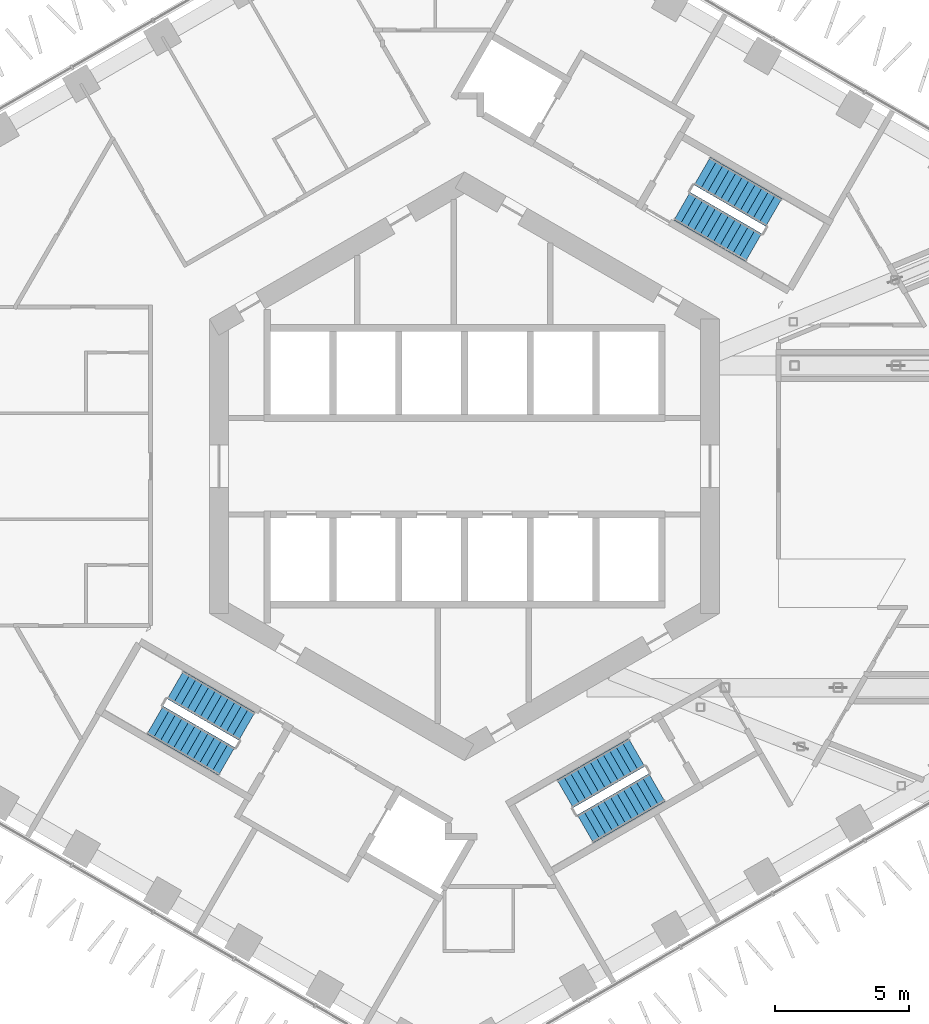
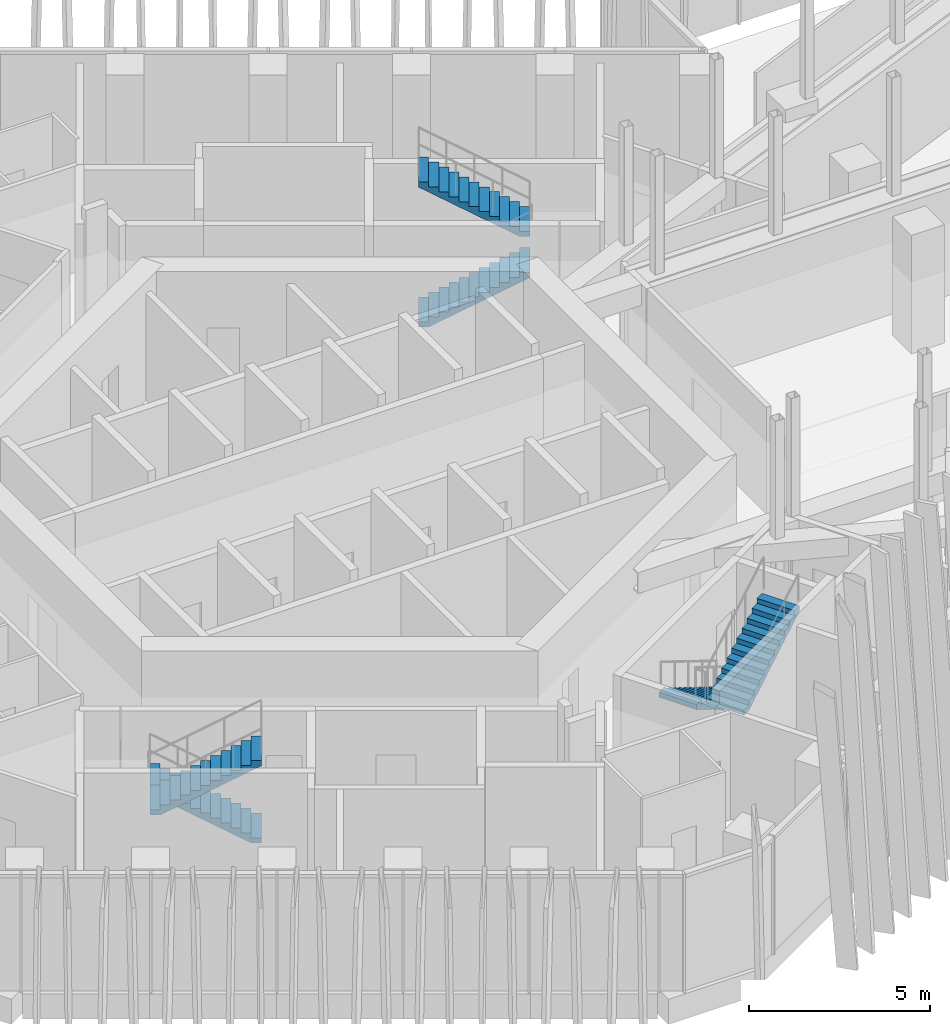
# One storey, part 24 of 28: 6 stair flights, 3 elements without a shape of their own.
"""IFC4 building model written with IfcOpenShell, lengths in metres."""

from ifc_helpers import new_model, si_unit, direction, frame, origin, place, context, subcontext, project, spatial, triangles, material, type_object, element, aggregate, save


model = new_model("IFC4")

# Units and contexts
model_context = context("Model", 3, precision=1e-05, world=origin(), true_north=direction((0.0, 1.0)))
body_context = subcontext(model_context, "Body", "Model", "MODEL_VIEW")
ifc_project = project(units=[si_unit("LENGTHUNIT", "METRE"), si_unit("AREAUNIT", "SQUARE_METRE"), si_unit("VOLUMEUNIT", "CUBIC_METRE"), si_unit("PLANEANGLEUNIT", "RADIAN"), si_unit("MASSUNIT", "GRAM", prefix="KILO")], contexts=[model_context])

# Site, building, storey
site_placement = place(None, origin())
site = spatial("IfcSite", under=ifc_project, at=site_placement, CompositionType="ELEMENT")
building_placement = place(site_placement, origin())
building = spatial("IfcBuilding", under=site, at=building_placement, Name="Ayvan Gate Tower", CompositionType="ELEMENT")
storey_placement = place(building_placement, frame((0.0, 0.0, 120.5)))
storey = spatial("IfcBuildingStorey", under=building, at=storey_placement, Name="L32", CompositionType="ELEMENT", Elevation=120.5)

# Stair, stair flights
ifc_material = material(Name="Concrete C40/50", Category="concrete")
stair_type = type_object("IfcStairType", Name="ST-EXIT", PredefinedType="HALF_TURN_STAIR", material=ifc_material)
stair_1_placement = place(storey_placement, origin())
stair_1 = element("IfcStair", 1, at=stair_1_placement, inside=storey, type_object=stair_type, Name="L32 Exit Stair S1", PredefinedType="HALF_TURN_STAIR")
stair_flight_type = type_object("IfcStairFlightType", Name="SFL-EXIT", PredefinedType="STRAIGHT", material=ifc_material)
stair_flight_1_placement = place(storey_placement, frame((8.106201171875, 9.690185546875, 0.0), z_axis=(0.0, 0.0, 1.0), x_axis=(0.866025403784, -0.5, 0.0)))
stair_flight_1 = element("IfcStairFlight", 2, at=stair_flight_1_placement, type_object=stair_flight_type, Name="STS1 flight 1", NumberOfRisers=12, NumberOfTreads=11, PredefinedType="STRAIGHT", RiserHeight=0.166666667, TreadLength=0.28, context=body_context, shape_type="Tessellation", body=[
    triangles([(0.293073, -0.599976, 0.0), (3.0805, -0.599976, 1.659182), (3.0805, -0.599976, 1.833333), (2.8, -0.599976, 1.833333), (2.8, -0.599976, 1.666667), (2.52, -0.599976, 1.666667), (2.52, -0.599976, 1.5), (2.24, -0.599976, 1.5), (2.24, -0.599976, 1.333333), (1.96, -0.599976, 1.333333), (1.96, -0.599976, 1.166667), (1.68, -0.599976, 1.166667), (1.68, -0.599976, 1.0), (1.4, -0.599976, 1.0), (1.4, -0.599976, 0.833333), (1.12, -0.599976, 0.833333), (1.12, -0.599976, 0.666667), (0.84, -0.599976, 0.666667), (0.84, -0.599976, 0.5), (0.56, -0.599976, 0.5), (0.56, -0.599976, 0.333333), (0.28, -0.599976, 0.333333), (0.28, -0.599976, 0.166667), (-0.0005, -0.599976, 0.166667), (-0.0005, -0.599976, 0.0), (0.293073, 0.0, 0.0), (3.0805, 0.0, 1.659182), (3.0805, 0.0, 1.833333), (2.8, 0.0, 1.833333), (2.8, 0.0, 1.666667), (2.52, 0.0, 1.666667), (2.52, 0.0, 1.5), (2.24, 0.0, 1.5), (2.24, 0.0, 1.333333), (1.96, 0.0, 1.333333), (1.96, 0.0, 1.166667), (1.68, 0.0, 1.166667), (1.68, 0.0, 1.0), (1.4, 0.0, 1.0), (1.4, 0.0, 0.833333), (1.12, 0.0, 0.833333), (1.12, 0.0, 0.666667), (0.84, 0.0, 0.666667), (0.84, 0.0, 0.5), (0.56, 0.0, 0.5), (0.56, 0.0, 0.333333), (0.28, 0.0, 0.333333), (0.28, 0.0, 0.166667), (-0.0005, 0.0, 0.166667), (-0.0005, 0.0, 0.0), (0.293073, 0.599976, 0.0), (3.0805, 0.599976, 1.659182), (3.0805, 0.599976, 1.833333), (2.8, 0.599976, 1.833333), (2.8, 0.599976, 1.666667), (2.52, 0.599976, 1.666667), (2.52, 0.599976, 1.5), (2.24, 0.599976, 1.5), (2.24, 0.599976, 1.333333), (1.96, 0.599976, 1.333333), (1.96, 0.599976, 1.166667), (1.68, 0.599976, 1.166667), (1.68, 0.599976, 1.0), (1.4, 0.599976, 1.0), (1.4, 0.599976, 0.833333), (1.12, 0.599976, 0.833333), (1.12, 0.599976, 0.666667), (0.84, 0.599976, 0.666667), (0.84, 0.599976, 0.5), (0.56, 0.599976, 0.5), (0.56, 0.599976, 0.333333), (0.28, 0.599976, 0.333333), (0.28, 0.599976, 0.166667), (-0.0005, 0.599976, 0.166667), (-0.0005, 0.599976, 0.0)], [[25, 1, 2], [75, 52, 51], [2, 3, 4], [52, 54, 53], [2, 4, 5], [52, 55, 54], [2, 5, 6], [52, 56, 55], [2, 6, 7], [52, 57, 56], [7, 8, 9], [57, 59, 58], [2, 7, 9], [52, 59, 57], [9, 10, 11], [59, 61, 60], [2, 9, 11], [52, 61, 59], [11, 12, 13], [61, 63, 62], [2, 11, 13], [52, 63, 61], [13, 14, 15], [63, 65, 64], [2, 13, 15], [52, 65, 63], [15, 16, 17], [65, 67, 66], [2, 15, 17], [52, 67, 65], [17, 18, 19], [67, 69, 68], [2, 17, 19], [52, 69, 67], [19, 20, 21], [69, 71, 70], [2, 19, 21], [52, 71, 69], [21, 22, 23], [71, 73, 72], [2, 21, 23], [52, 73, 71], [25, 2, 23], [75, 73, 52], [23, 24, 25], [73, 75, 74], [1, 26, 27], [1, 27, 2], [51, 27, 26], [51, 52, 27], [2, 27, 28], [2, 28, 3], [52, 28, 27], [52, 53, 28], [3, 28, 29], [3, 29, 4], [53, 29, 28], [53, 54, 29], [4, 29, 30], [4, 30, 5], [54, 30, 29], [54, 55, 30], [5, 30, 31], [5, 31, 6], [55, 31, 30], [55, 56, 31], [6, 31, 32], [6, 32, 7], [56, 32, 31], [56, 57, 32], [7, 32, 33], [7, 33, 8], [57, 33, 32], [57, 58, 33], [8, 33, 34], [8, 34, 9], [58, 34, 33], [58, 59, 34], [9, 34, 35], [9, 35, 10], [59, 35, 34], [59, 60, 35], [10, 35, 36], [10, 36, 11], [60, 36, 35], [60, 61, 36], [11, 36, 37], [11, 37, 12], [61, 37, 36], [61, 62, 37], [12, 37, 38], [12, 38, 13], [62, 38, 37], [62, 63, 38], [13, 38, 39], [13, 39, 14], [63, 39, 38], [63, 64, 39], [14, 39, 40], [14, 40, 15], [64, 40, 39], [64, 65, 40], [15, 40, 41], [15, 41, 16], [65, 41, 40], [65, 66, 41], [16, 41, 42], [16, 42, 17], [66, 42, 41], [66, 67, 42], [17, 42, 43], [17, 43, 18], [67, 43, 42], [67, 68, 43], [18, 43, 44], [18, 44, 19], [68, 44, 43], [68, 69, 44], [19, 44, 45], [19, 45, 20], [69, 45, 44], [69, 70, 45], [20, 45, 46], [20, 46, 21], [70, 46, 45], [70, 71, 46], [21, 46, 47], [21, 47, 22], [71, 47, 46], [71, 72, 47], [22, 47, 48], [22, 48, 23], [72, 48, 47], [72, 73, 48], [23, 48, 49], [23, 49, 24], [73, 49, 48], [73, 74, 49], [24, 49, 50], [24, 50, 25], [74, 50, 49], [74, 75, 50], [25, 50, 26], [25, 26, 1], [75, 26, 50], [75, 51, 26]], closed=True),
])
stair_flight_2_placement = place(storey_placement, frame((11.528564453125, 9.457763671875, 2.0), z_axis=(0.0, 0.0, 1.0), x_axis=(-0.866025403784, 0.5, 0.0)))
stair_flight_2 = element("IfcStairFlight", 3, at=stair_flight_2_placement, type_object=stair_flight_type, Name="STS1 flight 2", NumberOfRisers=12, NumberOfTreads=11, PredefinedType="STRAIGHT", RiserHeight=0.166666667, TreadLength=0.28, context=body_context, shape_type="Tessellation", body=[
    triangles([(0.293073, -0.599976, 0.0), (3.0805, -0.599976, 1.659182), (3.0805, -0.599976, 1.833333), (2.8, -0.599976, 1.833333), (2.8, -0.599976, 1.666667), (2.52, -0.599976, 1.666667), (2.52, -0.599976, 1.5), (2.24, -0.599976, 1.5), (2.24, -0.599976, 1.333333), (1.96, -0.599976, 1.333333), (1.96, -0.599976, 1.166667), (1.68, -0.599976, 1.166667), (1.68, -0.599976, 1.0), (1.4, -0.599976, 1.0), (1.4, -0.599976, 0.833333), (1.12, -0.599976, 0.833333), (1.12, -0.599976, 0.666667), (0.84, -0.599976, 0.666667), (0.84, -0.599976, 0.5), (0.56, -0.599976, 0.5), (0.56, -0.599976, 0.333333), (0.28, -0.599976, 0.333333), (0.28, -0.599976, 0.166667), (-0.0005, -0.599976, 0.166667), (-0.0005, -0.599976, 0.0), (0.293073, 0.0, 0.0), (3.0805, 0.0, 1.659182), (3.0805, 0.0, 1.833333), (2.8, 0.0, 1.833333), (2.8, 0.0, 1.666667), (2.52, 0.0, 1.666667), (2.52, 0.0, 1.5), (2.24, 0.0, 1.5), (2.24, 0.0, 1.333333), (1.96, 0.0, 1.333333), (1.96, 0.0, 1.166667), (1.68, 0.0, 1.166667), (1.68, 0.0, 1.0), (1.4, 0.0, 1.0), (1.4, 0.0, 0.833333), (1.12, 0.0, 0.833333), (1.12, 0.0, 0.666667), (0.84, 0.0, 0.666667), (0.84, 0.0, 0.5), (0.56, 0.0, 0.5), (0.56, 0.0, 0.333333), (0.28, 0.0, 0.333333), (0.28, 0.0, 0.166667), (-0.0005, 0.0, 0.166667), (-0.0005, 0.0, 0.0), (0.293073, 0.599976, 0.0), (3.0805, 0.599976, 1.659182), (3.0805, 0.599976, 1.833333), (2.8, 0.599976, 1.833333), (2.8, 0.599976, 1.666667), (2.52, 0.599976, 1.666667), (2.52, 0.599976, 1.5), (2.24, 0.599976, 1.5), (2.24, 0.599976, 1.333333), (1.96, 0.599976, 1.333333), (1.96, 0.599976, 1.166667), (1.68, 0.599976, 1.166667), (1.68, 0.599976, 1.0), (1.4, 0.599976, 1.0), (1.4, 0.599976, 0.833333), (1.12, 0.599976, 0.833333), (1.12, 0.599976, 0.666667), (0.84, 0.599976, 0.666667), (0.84, 0.599976, 0.5), (0.56, 0.599976, 0.5), (0.56, 0.599976, 0.333333), (0.28, 0.599976, 0.333333), (0.28, 0.599976, 0.166667), (-0.0005, 0.599976, 0.166667), (-0.0005, 0.599976, 0.0)], [[25, 1, 2], [75, 52, 51], [2, 3, 4], [52, 54, 53], [2, 4, 5], [52, 55, 54], [2, 5, 6], [52, 56, 55], [2, 6, 7], [52, 57, 56], [7, 8, 9], [57, 59, 58], [2, 7, 9], [52, 59, 57], [9, 10, 11], [59, 61, 60], [2, 9, 11], [52, 61, 59], [11, 12, 13], [61, 63, 62], [2, 11, 13], [52, 63, 61], [13, 14, 15], [63, 65, 64], [2, 13, 15], [52, 65, 63], [15, 16, 17], [65, 67, 66], [2, 15, 17], [52, 67, 65], [17, 18, 19], [67, 69, 68], [2, 17, 19], [52, 69, 67], [19, 20, 21], [69, 71, 70], [2, 19, 21], [52, 71, 69], [21, 22, 23], [71, 73, 72], [2, 21, 23], [52, 73, 71], [25, 2, 23], [75, 73, 52], [23, 24, 25], [73, 75, 74], [1, 26, 27], [1, 27, 2], [51, 27, 26], [51, 52, 27], [2, 27, 28], [2, 28, 3], [52, 28, 27], [52, 53, 28], [3, 28, 29], [3, 29, 4], [53, 29, 28], [53, 54, 29], [4, 29, 30], [4, 30, 5], [54, 30, 29], [54, 55, 30], [5, 30, 31], [5, 31, 6], [55, 31, 30], [55, 56, 31], [6, 31, 32], [6, 32, 7], [56, 32, 31], [56, 57, 32], [7, 32, 33], [7, 33, 8], [57, 33, 32], [57, 58, 33], [8, 33, 34], [8, 34, 9], [58, 34, 33], [58, 59, 34], [9, 34, 35], [9, 35, 10], [59, 35, 34], [59, 60, 35], [10, 35, 36], [10, 36, 11], [60, 36, 35], [60, 61, 36], [11, 36, 37], [11, 37, 12], [61, 37, 36], [61, 62, 37], [12, 37, 38], [12, 38, 13], [62, 38, 37], [62, 63, 38], [13, 38, 39], [13, 39, 14], [63, 39, 38], [63, 64, 39], [14, 39, 40], [14, 40, 15], [64, 40, 39], [64, 65, 40], [15, 40, 41], [15, 41, 16], [65, 41, 40], [65, 66, 41], [16, 41, 42], [16, 42, 17], [66, 42, 41], [66, 67, 42], [17, 42, 43], [17, 43, 18], [67, 43, 42], [67, 68, 43], [18, 43, 44], [18, 44, 19], [68, 44, 43], [68, 69, 44], [19, 44, 45], [19, 45, 20], [69, 45, 44], [69, 70, 45], [20, 45, 46], [20, 46, 21], [70, 46, 45], [70, 71, 46], [21, 46, 47], [21, 47, 22], [71, 47, 46], [71, 72, 47], [22, 47, 48], [22, 48, 23], [72, 48, 47], [72, 73, 48], [23, 48, 49], [23, 49, 24], [73, 49, 48], [73, 74, 49], [24, 49, 50], [24, 50, 25], [74, 50, 49], [74, 75, 50], [25, 50, 26], [25, 26, 1], [75, 26, 50], [75, 51, 26]], closed=True),
])
aggregate(stair_1, [stair_flight_1, stair_flight_2])

stair_2_placement = place(storey_placement, origin())
stair_2 = element("IfcStair", 4, at=stair_2_placement, inside=storey, type_object=stair_type, Name="L32 Exit Stair S2", PredefinedType="HALF_TURN_STAIR")
stair_flight_3_placement = place(storey_placement, frame((-8.106201171875, -9.690185546875, 0.0), z_axis=(0.0, 0.0, 1.0), x_axis=(-0.866025403784, 0.5, 0.0)))
stair_flight_3 = element("IfcStairFlight", 5, at=stair_flight_3_placement, type_object=stair_flight_type, Name="STS2 flight 1", NumberOfRisers=12, NumberOfTreads=11, PredefinedType="STRAIGHT", RiserHeight=0.166666667, TreadLength=0.28, context=body_context, shape_type="Tessellation", body=[
    triangles([(0.293073, -0.599976, 0.0), (3.0805, -0.599976, 1.659182), (3.0805, -0.599976, 1.833333), (2.8, -0.599976, 1.833333), (2.8, -0.599976, 1.666667), (2.52, -0.599976, 1.666667), (2.52, -0.599976, 1.5), (2.24, -0.599976, 1.5), (2.24, -0.599976, 1.333333), (1.96, -0.599976, 1.333333), (1.96, -0.599976, 1.166667), (1.68, -0.599976, 1.166667), (1.68, -0.599976, 1.0), (1.4, -0.599976, 1.0), (1.4, -0.599976, 0.833333), (1.12, -0.599976, 0.833333), (1.12, -0.599976, 0.666667), (0.84, -0.599976, 0.666667), (0.84, -0.599976, 0.5), (0.56, -0.599976, 0.5), (0.56, -0.599976, 0.333333), (0.28, -0.599976, 0.333333), (0.28, -0.599976, 0.166667), (-0.0005, -0.599976, 0.166667), (-0.0005, -0.599976, 0.0), (0.293073, 0.0, 0.0), (3.0805, 0.0, 1.659182), (3.0805, 0.0, 1.833333), (2.8, 0.0, 1.833333), (2.8, 0.0, 1.666667), (2.52, 0.0, 1.666667), (2.52, 0.0, 1.5), (2.24, 0.0, 1.5), (2.24, 0.0, 1.333333), (1.96, 0.0, 1.333333), (1.96, 0.0, 1.166667), (1.68, 0.0, 1.166667), (1.68, 0.0, 1.0), (1.4, 0.0, 1.0), (1.4, 0.0, 0.833333), (1.12, 0.0, 0.833333), (1.12, 0.0, 0.666667), (0.84, 0.0, 0.666667), (0.84, 0.0, 0.5), (0.56, 0.0, 0.5), (0.56, 0.0, 0.333333), (0.28, 0.0, 0.333333), (0.28, 0.0, 0.166667), (-0.0005, 0.0, 0.166667), (-0.0005, 0.0, 0.0), (0.293073, 0.599976, 0.0), (3.0805, 0.599976, 1.659182), (3.0805, 0.599976, 1.833333), (2.8, 0.599976, 1.833333), (2.8, 0.599976, 1.666667), (2.52, 0.599976, 1.666667), (2.52, 0.599976, 1.5), (2.24, 0.599976, 1.5), (2.24, 0.599976, 1.333333), (1.96, 0.599976, 1.333333), (1.96, 0.599976, 1.166667), (1.68, 0.599976, 1.166667), (1.68, 0.599976, 1.0), (1.4, 0.599976, 1.0), (1.4, 0.599976, 0.833333), (1.12, 0.599976, 0.833333), (1.12, 0.599976, 0.666667), (0.84, 0.599976, 0.666667), (0.84, 0.599976, 0.5), (0.56, 0.599976, 0.5), (0.56, 0.599976, 0.333333), (0.28, 0.599976, 0.333333), (0.28, 0.599976, 0.166667), (-0.0005, 0.599976, 0.166667), (-0.0005, 0.599976, 0.0)], [[25, 1, 2], [75, 52, 51], [2, 3, 4], [52, 54, 53], [2, 4, 5], [52, 55, 54], [2, 5, 6], [52, 56, 55], [2, 6, 7], [52, 57, 56], [7, 8, 9], [57, 59, 58], [2, 7, 9], [52, 59, 57], [9, 10, 11], [59, 61, 60], [2, 9, 11], [52, 61, 59], [11, 12, 13], [61, 63, 62], [2, 11, 13], [52, 63, 61], [13, 14, 15], [63, 65, 64], [2, 13, 15], [52, 65, 63], [15, 16, 17], [65, 67, 66], [2, 15, 17], [52, 67, 65], [17, 18, 19], [67, 69, 68], [2, 17, 19], [52, 69, 67], [19, 20, 21], [69, 71, 70], [2, 19, 21], [52, 71, 69], [21, 22, 23], [71, 73, 72], [2, 21, 23], [52, 73, 71], [25, 2, 23], [75, 73, 52], [23, 24, 25], [73, 75, 74], [1, 26, 27], [1, 27, 2], [51, 27, 26], [51, 52, 27], [2, 27, 28], [2, 28, 3], [52, 28, 27], [52, 53, 28], [3, 28, 29], [3, 29, 4], [53, 29, 28], [53, 54, 29], [4, 29, 30], [4, 30, 5], [54, 30, 29], [54, 55, 30], [5, 30, 31], [5, 31, 6], [55, 31, 30], [55, 56, 31], [6, 31, 32], [6, 32, 7], [56, 32, 31], [56, 57, 32], [7, 32, 33], [7, 33, 8], [57, 33, 32], [57, 58, 33], [8, 33, 34], [8, 34, 9], [58, 34, 33], [58, 59, 34], [9, 34, 35], [9, 35, 10], [59, 35, 34], [59, 60, 35], [10, 35, 36], [10, 36, 11], [60, 36, 35], [60, 61, 36], [11, 36, 37], [11, 37, 12], [61, 37, 36], [61, 62, 37], [12, 37, 38], [12, 38, 13], [62, 38, 37], [62, 63, 38], [13, 38, 39], [13, 39, 14], [63, 39, 38], [63, 64, 39], [14, 39, 40], [14, 40, 15], [64, 40, 39], [64, 65, 40], [15, 40, 41], [15, 41, 16], [65, 41, 40], [65, 66, 41], [16, 41, 42], [16, 42, 17], [66, 42, 41], [66, 67, 42], [17, 42, 43], [17, 43, 18], [67, 43, 42], [67, 68, 43], [18, 43, 44], [18, 44, 19], [68, 44, 43], [68, 69, 44], [19, 44, 45], [19, 45, 20], [69, 45, 44], [69, 70, 45], [20, 45, 46], [20, 46, 21], [70, 46, 45], [70, 71, 46], [21, 46, 47], [21, 47, 22], [71, 47, 46], [71, 72, 47], [22, 47, 48], [22, 48, 23], [72, 48, 47], [72, 73, 48], [23, 48, 49], [23, 49, 24], [73, 49, 48], [73, 74, 49], [24, 49, 50], [24, 50, 25], [74, 50, 49], [74, 75, 50], [25, 50, 26], [25, 26, 1], [75, 26, 50], [75, 51, 26]], closed=True),
])
stair_flight_4_placement = place(storey_placement, frame((-11.528564453125, -9.457763671875, 2.0), z_axis=(0.0, 0.0, 1.0), x_axis=(0.866025403784, -0.5, 0.0)))
stair_flight_4 = element("IfcStairFlight", 6, at=stair_flight_4_placement, type_object=stair_flight_type, Name="STS2 flight 2", NumberOfRisers=12, NumberOfTreads=11, PredefinedType="STRAIGHT", RiserHeight=0.166666667, TreadLength=0.28, context=body_context, shape_type="Tessellation", body=[
    triangles([(0.293073, -0.599976, 0.0), (3.0805, -0.599976, 1.659182), (3.0805, -0.599976, 1.833333), (2.8, -0.599976, 1.833333), (2.8, -0.599976, 1.666667), (2.52, -0.599976, 1.666667), (2.52, -0.599976, 1.5), (2.24, -0.599976, 1.5), (2.24, -0.599976, 1.333333), (1.96, -0.599976, 1.333333), (1.96, -0.599976, 1.166667), (1.68, -0.599976, 1.166667), (1.68, -0.599976, 1.0), (1.4, -0.599976, 1.0), (1.4, -0.599976, 0.833333), (1.12, -0.599976, 0.833333), (1.12, -0.599976, 0.666667), (0.84, -0.599976, 0.666667), (0.84, -0.599976, 0.5), (0.56, -0.599976, 0.5), (0.56, -0.599976, 0.333333), (0.28, -0.599976, 0.333333), (0.28, -0.599976, 0.166667), (-0.0005, -0.599976, 0.166667), (-0.0005, -0.599976, 0.0), (0.293073, 0.0, 0.0), (3.0805, 0.0, 1.659182), (3.0805, 0.0, 1.833333), (2.8, 0.0, 1.833333), (2.8, 0.0, 1.666667), (2.52, 0.0, 1.666667), (2.52, 0.0, 1.5), (2.24, 0.0, 1.5), (2.24, 0.0, 1.333333), (1.96, 0.0, 1.333333), (1.96, 0.0, 1.166667), (1.68, 0.0, 1.166667), (1.68, 0.0, 1.0), (1.4, 0.0, 1.0), (1.4, 0.0, 0.833333), (1.12, 0.0, 0.833333), (1.12, 0.0, 0.666667), (0.84, 0.0, 0.666667), (0.84, 0.0, 0.5), (0.56, 0.0, 0.5), (0.56, 0.0, 0.333333), (0.28, 0.0, 0.333333), (0.28, 0.0, 0.166667), (-0.0005, 0.0, 0.166667), (-0.0005, 0.0, 0.0), (0.293073, 0.599976, 0.0), (3.0805, 0.599976, 1.659182), (3.0805, 0.599976, 1.833333), (2.8, 0.599976, 1.833333), (2.8, 0.599976, 1.666667), (2.52, 0.599976, 1.666667), (2.52, 0.599976, 1.5), (2.24, 0.599976, 1.5), (2.24, 0.599976, 1.333333), (1.96, 0.599976, 1.333333), (1.96, 0.599976, 1.166667), (1.68, 0.599976, 1.166667), (1.68, 0.599976, 1.0), (1.4, 0.599976, 1.0), (1.4, 0.599976, 0.833333), (1.12, 0.599976, 0.833333), (1.12, 0.599976, 0.666667), (0.84, 0.599976, 0.666667), (0.84, 0.599976, 0.5), (0.56, 0.599976, 0.5), (0.56, 0.599976, 0.333333), (0.28, 0.599976, 0.333333), (0.28, 0.599976, 0.166667), (-0.0005, 0.599976, 0.166667), (-0.0005, 0.599976, 0.0)], [[25, 1, 2], [75, 52, 51], [2, 3, 4], [52, 54, 53], [2, 4, 5], [52, 55, 54], [2, 5, 6], [52, 56, 55], [2, 6, 7], [52, 57, 56], [7, 8, 9], [57, 59, 58], [2, 7, 9], [52, 59, 57], [9, 10, 11], [59, 61, 60], [2, 9, 11], [52, 61, 59], [11, 12, 13], [61, 63, 62], [2, 11, 13], [52, 63, 61], [13, 14, 15], [63, 65, 64], [2, 13, 15], [52, 65, 63], [15, 16, 17], [65, 67, 66], [2, 15, 17], [52, 67, 65], [17, 18, 19], [67, 69, 68], [2, 17, 19], [52, 69, 67], [19, 20, 21], [69, 71, 70], [2, 19, 21], [52, 71, 69], [21, 22, 23], [71, 73, 72], [2, 21, 23], [52, 73, 71], [25, 2, 23], [75, 73, 52], [23, 24, 25], [73, 75, 74], [1, 26, 27], [1, 27, 2], [51, 27, 26], [51, 52, 27], [2, 27, 28], [2, 28, 3], [52, 28, 27], [52, 53, 28], [3, 28, 29], [3, 29, 4], [53, 29, 28], [53, 54, 29], [4, 29, 30], [4, 30, 5], [54, 30, 29], [54, 55, 30], [5, 30, 31], [5, 31, 6], [55, 31, 30], [55, 56, 31], [6, 31, 32], [6, 32, 7], [56, 32, 31], [56, 57, 32], [7, 32, 33], [7, 33, 8], [57, 33, 32], [57, 58, 33], [8, 33, 34], [8, 34, 9], [58, 34, 33], [58, 59, 34], [9, 34, 35], [9, 35, 10], [59, 35, 34], [59, 60, 35], [10, 35, 36], [10, 36, 11], [60, 36, 35], [60, 61, 36], [11, 36, 37], [11, 37, 12], [61, 37, 36], [61, 62, 37], [12, 37, 38], [12, 38, 13], [62, 38, 37], [62, 63, 38], [13, 38, 39], [13, 39, 14], [63, 39, 38], [63, 64, 39], [14, 39, 40], [14, 40, 15], [64, 40, 39], [64, 65, 40], [15, 40, 41], [15, 41, 16], [65, 41, 40], [65, 66, 41], [16, 41, 42], [16, 42, 17], [66, 42, 41], [66, 67, 42], [17, 42, 43], [17, 43, 18], [67, 43, 42], [67, 68, 43], [18, 43, 44], [18, 44, 19], [68, 44, 43], [68, 69, 44], [19, 44, 45], [19, 45, 20], [69, 45, 44], [69, 70, 45], [20, 45, 46], [20, 46, 21], [70, 46, 45], [70, 71, 46], [21, 46, 47], [21, 47, 22], [71, 47, 46], [71, 72, 47], [22, 47, 48], [22, 48, 23], [72, 48, 47], [72, 73, 48], [23, 48, 49], [23, 49, 24], [73, 49, 48], [73, 74, 49], [24, 49, 50], [24, 50, 25], [74, 50, 49], [74, 75, 50], [25, 50, 26], [25, 26, 1], [75, 26, 50], [75, 51, 26]], closed=True),
])
aggregate(stair_2, [stair_flight_3, stair_flight_4])

stair_3_placement = place(storey_placement, origin())
stair_3 = element("IfcStair", 7, at=stair_3_placement, inside=storey, type_object=stair_type, Name="L32 Exit Stair S3", PredefinedType="HALF_TURN_STAIR")
stair_flight_5_placement = place(storey_placement, frame((6.417236328125, -10.665283203125, 0.0), z_axis=(0.0, 0.0, 1.0), x_axis=(-0.866025403784, -0.5, 0.0)))
stair_flight_5 = element("IfcStairFlight", 8, at=stair_flight_5_placement, type_object=stair_flight_type, Name="STS3 flight 1", NumberOfRisers=12, NumberOfTreads=11, PredefinedType="STRAIGHT", RiserHeight=0.166666667, TreadLength=0.28, context=body_context, shape_type="Tessellation", body=[
    triangles([(0.293073, -0.599976, 0.0), (3.0805, -0.599976, 1.659182), (3.0805, -0.599976, 1.833333), (2.8, -0.599976, 1.833333), (2.8, -0.599976, 1.666667), (2.52, -0.599976, 1.666667), (2.52, -0.599976, 1.5), (2.24, -0.599976, 1.5), (2.24, -0.599976, 1.333333), (1.96, -0.599976, 1.333333), (1.96, -0.599976, 1.166667), (1.68, -0.599976, 1.166667), (1.68, -0.599976, 1.0), (1.4, -0.599976, 1.0), (1.4, -0.599976, 0.833333), (1.12, -0.599976, 0.833333), (1.12, -0.599976, 0.666667), (0.84, -0.599976, 0.666667), (0.84, -0.599976, 0.5), (0.56, -0.599976, 0.5), (0.56, -0.599976, 0.333333), (0.28, -0.599976, 0.333333), (0.28, -0.599976, 0.166667), (-0.0005, -0.599976, 0.166667), (-0.0005, -0.599976, 0.0), (0.293073, 0.0, 0.0), (3.0805, 0.0, 1.659182), (3.0805, 0.0, 1.833333), (2.8, 0.0, 1.833333), (2.8, 0.0, 1.666667), (2.52, 0.0, 1.666667), (2.52, 0.0, 1.5), (2.24, 0.0, 1.5), (2.24, 0.0, 1.333333), (1.96, 0.0, 1.333333), (1.96, 0.0, 1.166667), (1.68, 0.0, 1.166667), (1.68, 0.0, 1.0), (1.4, 0.0, 1.0), (1.4, 0.0, 0.833333), (1.12, 0.0, 0.833333), (1.12, 0.0, 0.666667), (0.84, 0.0, 0.666667), (0.84, 0.0, 0.5), (0.56, 0.0, 0.5), (0.56, 0.0, 0.333333), (0.28, 0.0, 0.333333), (0.28, 0.0, 0.166667), (-0.0005, 0.0, 0.166667), (-0.0005, 0.0, 0.0), (0.293073, 0.599976, 0.0), (3.0805, 0.599976, 1.659182), (3.0805, 0.599976, 1.833333), (2.8, 0.599976, 1.833333), (2.8, 0.599976, 1.666667), (2.52, 0.599976, 1.666667), (2.52, 0.599976, 1.5), (2.24, 0.599976, 1.5), (2.24, 0.599976, 1.333333), (1.96, 0.599976, 1.333333), (1.96, 0.599976, 1.166667), (1.68, 0.599976, 1.166667), (1.68, 0.599976, 1.0), (1.4, 0.599976, 1.0), (1.4, 0.599976, 0.833333), (1.12, 0.599976, 0.833333), (1.12, 0.599976, 0.666667), (0.84, 0.599976, 0.666667), (0.84, 0.599976, 0.5), (0.56, 0.599976, 0.5), (0.56, 0.599976, 0.333333), (0.28, 0.599976, 0.333333), (0.28, 0.599976, 0.166667), (-0.0005, 0.599976, 0.166667), (-0.0005, 0.599976, 0.0)], [[25, 1, 2], [75, 52, 51], [2, 3, 4], [52, 54, 53], [2, 4, 5], [52, 55, 54], [2, 5, 6], [52, 56, 55], [2, 6, 7], [52, 57, 56], [7, 8, 9], [57, 59, 58], [2, 7, 9], [52, 59, 57], [9, 10, 11], [59, 61, 60], [2, 9, 11], [52, 61, 59], [11, 12, 13], [61, 63, 62], [2, 11, 13], [52, 63, 61], [13, 14, 15], [63, 65, 64], [2, 13, 15], [52, 65, 63], [15, 16, 17], [65, 67, 66], [2, 15, 17], [52, 67, 65], [17, 18, 19], [67, 69, 68], [2, 17, 19], [52, 69, 67], [19, 20, 21], [69, 71, 70], [2, 19, 21], [52, 71, 69], [21, 22, 23], [71, 73, 72], [2, 21, 23], [52, 73, 71], [25, 2, 23], [75, 73, 52], [23, 24, 25], [73, 75, 74], [1, 26, 27], [1, 27, 2], [51, 27, 26], [51, 52, 27], [2, 27, 28], [2, 28, 3], [52, 28, 27], [52, 53, 28], [3, 28, 29], [3, 29, 4], [53, 29, 28], [53, 54, 29], [4, 29, 30], [4, 30, 5], [54, 30, 29], [54, 55, 30], [5, 30, 31], [5, 31, 6], [55, 31, 30], [55, 56, 31], [6, 31, 32], [6, 32, 7], [56, 32, 31], [56, 57, 32], [7, 32, 33], [7, 33, 8], [57, 33, 32], [57, 58, 33], [8, 33, 34], [8, 34, 9], [58, 34, 33], [58, 59, 34], [9, 34, 35], [9, 35, 10], [59, 35, 34], [59, 60, 35], [10, 35, 36], [10, 36, 11], [60, 36, 35], [60, 61, 36], [11, 36, 37], [11, 37, 12], [61, 37, 36], [61, 62, 37], [12, 37, 38], [12, 38, 13], [62, 38, 37], [62, 63, 38], [13, 38, 39], [13, 39, 14], [63, 39, 38], [63, 64, 39], [14, 39, 40], [14, 40, 15], [64, 40, 39], [64, 65, 40], [15, 40, 41], [15, 41, 16], [65, 41, 40], [65, 66, 41], [16, 41, 42], [16, 42, 17], [66, 42, 41], [66, 67, 42], [17, 42, 43], [17, 43, 18], [67, 43, 42], [67, 68, 43], [18, 43, 44], [18, 44, 19], [68, 44, 43], [68, 69, 44], [19, 44, 45], [19, 45, 20], [69, 45, 44], [69, 70, 45], [20, 45, 46], [20, 46, 21], [70, 46, 45], [70, 71, 46], [21, 46, 47], [21, 47, 22], [71, 47, 46], [71, 72, 47], [22, 47, 48], [22, 48, 23], [72, 48, 47], [72, 73, 48], [23, 48, 49], [23, 49, 24], [73, 49, 48], [73, 74, 49], [24, 49, 50], [24, 50, 25], [74, 50, 49], [74, 75, 50], [25, 50, 26], [25, 26, 1], [75, 26, 50], [75, 51, 26]], closed=True),
])
stair_flight_6_placement = place(storey_placement, frame((4.5048828125, -13.512939453125, 2.0), z_axis=(0.0, 0.0, 1.0), x_axis=(0.866025403784, 0.5, 0.0)))
stair_flight_6 = element("IfcStairFlight", 9, at=stair_flight_6_placement, type_object=stair_flight_type, Name="STS3 flight 2", NumberOfRisers=12, NumberOfTreads=11, PredefinedType="STRAIGHT", RiserHeight=0.166666667, TreadLength=0.28, context=body_context, shape_type="Tessellation", body=[
    triangles([(0.293073, -0.599976, 0.0), (3.0805, -0.599976, 1.659182), (3.0805, -0.599976, 1.833333), (2.8, -0.599976, 1.833333), (2.8, -0.599976, 1.666667), (2.52, -0.599976, 1.666667), (2.52, -0.599976, 1.5), (2.24, -0.599976, 1.5), (2.24, -0.599976, 1.333333), (1.96, -0.599976, 1.333333), (1.96, -0.599976, 1.166667), (1.68, -0.599976, 1.166667), (1.68, -0.599976, 1.0), (1.4, -0.599976, 1.0), (1.4, -0.599976, 0.833333), (1.12, -0.599976, 0.833333), (1.12, -0.599976, 0.666667), (0.84, -0.599976, 0.666667), (0.84, -0.599976, 0.5), (0.56, -0.599976, 0.5), (0.56, -0.599976, 0.333333), (0.28, -0.599976, 0.333333), (0.28, -0.599976, 0.166667), (-0.0005, -0.599976, 0.166667), (-0.0005, -0.599976, 0.0), (0.293073, 0.0, 0.0), (3.0805, 0.0, 1.659182), (3.0805, 0.0, 1.833333), (2.8, 0.0, 1.833333), (2.8, 0.0, 1.666667), (2.52, 0.0, 1.666667), (2.52, 0.0, 1.5), (2.24, 0.0, 1.5), (2.24, 0.0, 1.333333), (1.96, 0.0, 1.333333), (1.96, 0.0, 1.166667), (1.68, 0.0, 1.166667), (1.68, 0.0, 1.0), (1.4, 0.0, 1.0), (1.4, 0.0, 0.833333), (1.12, 0.0, 0.833333), (1.12, 0.0, 0.666667), (0.84, 0.0, 0.666667), (0.84, 0.0, 0.5), (0.56, 0.0, 0.5), (0.56, 0.0, 0.333333), (0.28, 0.0, 0.333333), (0.28, 0.0, 0.166667), (-0.0005, 0.0, 0.166667), (-0.0005, 0.0, 0.0), (0.293073, 0.599976, 0.0), (3.0805, 0.599976, 1.659182), (3.0805, 0.599976, 1.833333), (2.8, 0.599976, 1.833333), (2.8, 0.599976, 1.666667), (2.52, 0.599976, 1.666667), (2.52, 0.599976, 1.5), (2.24, 0.599976, 1.5), (2.24, 0.599976, 1.333333), (1.96, 0.599976, 1.333333), (1.96, 0.599976, 1.166667), (1.68, 0.599976, 1.166667), (1.68, 0.599976, 1.0), (1.4, 0.599976, 1.0), (1.4, 0.599976, 0.833333), (1.12, 0.599976, 0.833333), (1.12, 0.599976, 0.666667), (0.84, 0.599976, 0.666667), (0.84, 0.599976, 0.5), (0.56, 0.599976, 0.5), (0.56, 0.599976, 0.333333), (0.28, 0.599976, 0.333333), (0.28, 0.599976, 0.166667), (-0.0005, 0.599976, 0.166667), (-0.0005, 0.599976, 0.0)], [[25, 1, 2], [75, 52, 51], [2, 3, 4], [52, 54, 53], [2, 4, 5], [52, 55, 54], [2, 5, 6], [52, 56, 55], [2, 6, 7], [52, 57, 56], [7, 8, 9], [57, 59, 58], [2, 7, 9], [52, 59, 57], [9, 10, 11], [59, 61, 60], [2, 9, 11], [52, 61, 59], [11, 12, 13], [61, 63, 62], [2, 11, 13], [52, 63, 61], [13, 14, 15], [63, 65, 64], [2, 13, 15], [52, 65, 63], [15, 16, 17], [65, 67, 66], [2, 15, 17], [52, 67, 65], [17, 18, 19], [67, 69, 68], [2, 17, 19], [52, 69, 67], [19, 20, 21], [69, 71, 70], [2, 19, 21], [52, 71, 69], [21, 22, 23], [71, 73, 72], [2, 21, 23], [52, 73, 71], [25, 2, 23], [75, 73, 52], [23, 24, 25], [73, 75, 74], [1, 26, 27], [1, 27, 2], [51, 27, 26], [51, 52, 27], [2, 27, 28], [2, 28, 3], [52, 28, 27], [52, 53, 28], [3, 28, 29], [3, 29, 4], [53, 29, 28], [53, 54, 29], [4, 29, 30], [4, 30, 5], [54, 30, 29], [54, 55, 30], [5, 30, 31], [5, 31, 6], [55, 31, 30], [55, 56, 31], [6, 31, 32], [6, 32, 7], [56, 32, 31], [56, 57, 32], [7, 32, 33], [7, 33, 8], [57, 33, 32], [57, 58, 33], [8, 33, 34], [8, 34, 9], [58, 34, 33], [58, 59, 34], [9, 34, 35], [9, 35, 10], [59, 35, 34], [59, 60, 35], [10, 35, 36], [10, 36, 11], [60, 36, 35], [60, 61, 36], [11, 36, 37], [11, 37, 12], [61, 37, 36], [61, 62, 37], [12, 37, 38], [12, 38, 13], [62, 38, 37], [62, 63, 38], [13, 38, 39], [13, 39, 14], [63, 39, 38], [63, 64, 39], [14, 39, 40], [14, 40, 15], [64, 40, 39], [64, 65, 40], [15, 40, 41], [15, 41, 16], [65, 41, 40], [65, 66, 41], [16, 41, 42], [16, 42, 17], [66, 42, 41], [66, 67, 42], [17, 42, 43], [17, 43, 18], [67, 43, 42], [67, 68, 43], [18, 43, 44], [18, 44, 19], [68, 44, 43], [68, 69, 44], [19, 44, 45], [19, 45, 20], [69, 45, 44], [69, 70, 45], [20, 45, 46], [20, 46, 21], [70, 46, 45], [70, 71, 46], [21, 46, 47], [21, 47, 22], [71, 47, 46], [71, 72, 47], [22, 47, 48], [22, 48, 23], [72, 48, 47], [72, 73, 48], [23, 48, 49], [23, 49, 24], [73, 49, 48], [73, 74, 49], [24, 49, 50], [24, 50, 25], [74, 50, 49], [74, 75, 50], [25, 50, 26], [25, 26, 1], [75, 26, 50], [75, 51, 26]], closed=True),
])
aggregate(stair_3, [stair_flight_5, stair_flight_6])

save(model, "model.ifc")
